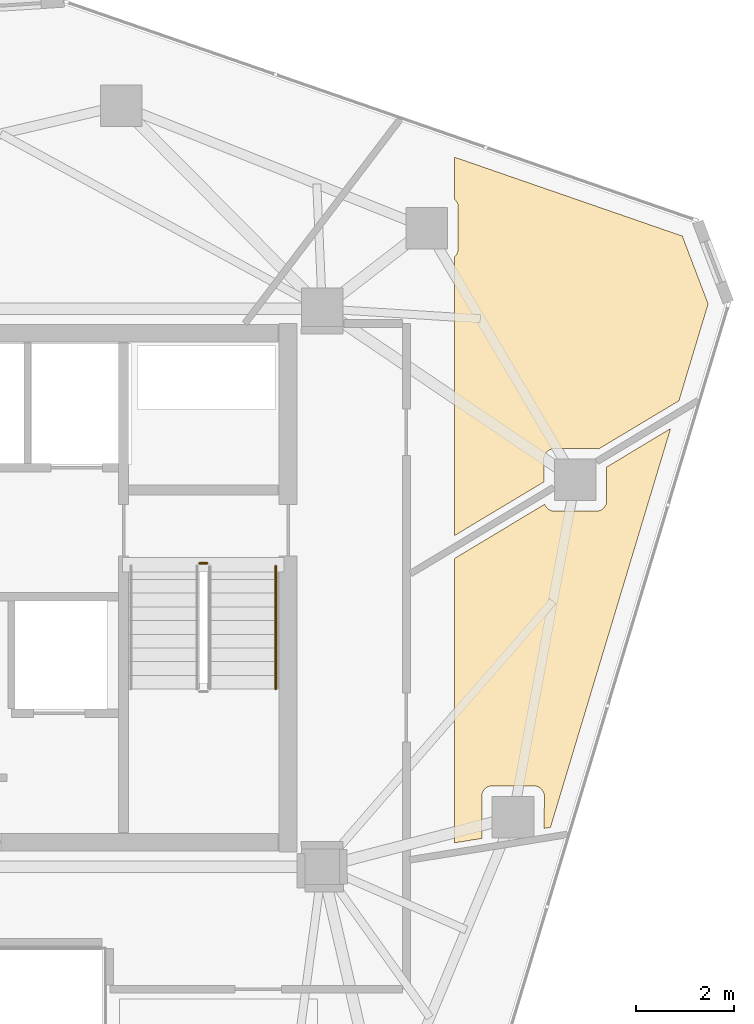
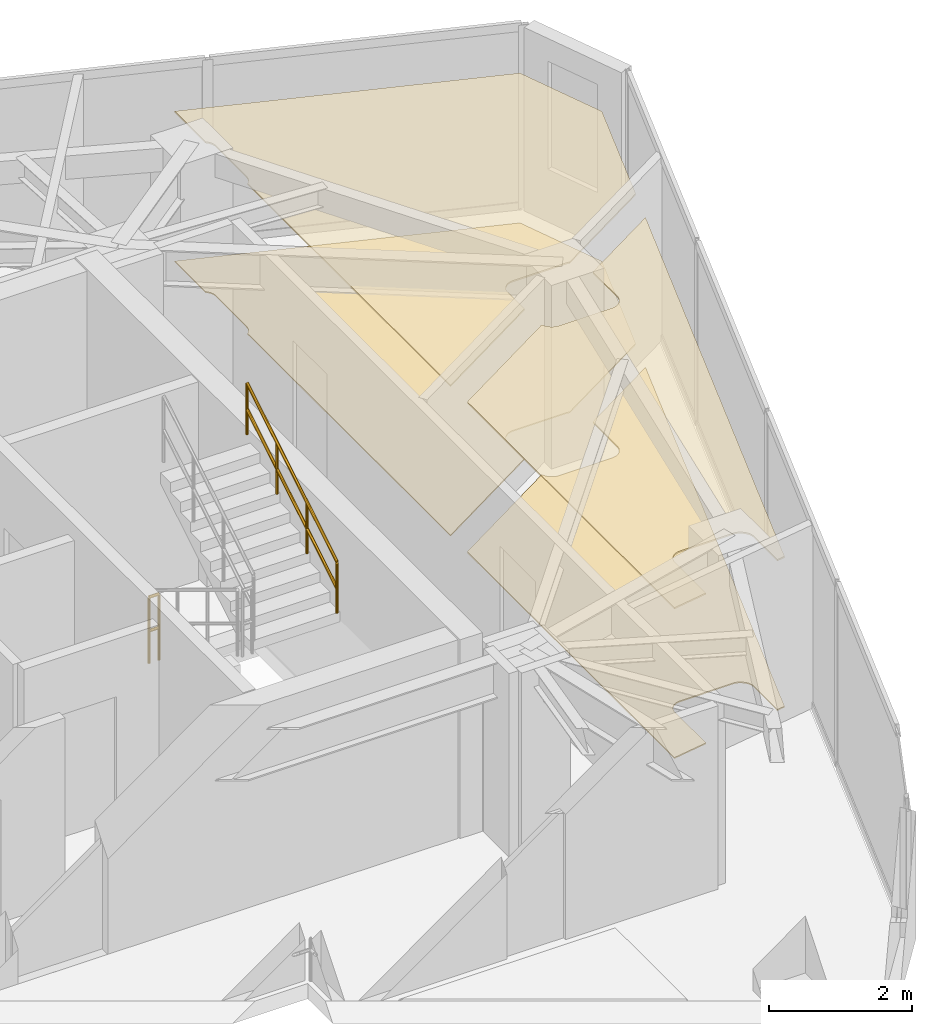
# One storey, part 20 of 20: 4 coverings, 2 railings.
"""IFC4 building model written with IfcOpenShell, lengths in metres."""

from ifc_helpers import new_model, si_unit, direction, frame, origin, origin_2d, place, context, subcontext, project, spatial, polyline, circle, outline, extrude, material, layer, layer_set, type_object, element, save


model = new_model("IFC4")

# Units and contexts
model_context = context("Model", 3, precision=1e-05, world=origin(), true_north=direction((0.0, 1.0)))
body_context = subcontext(model_context, "Body", "Model", "MODEL_VIEW")
ifc_project = project(units=[si_unit("LENGTHUNIT", "METRE"), si_unit("AREAUNIT", "SQUARE_METRE"), si_unit("VOLUMEUNIT", "CUBIC_METRE"), si_unit("PLANEANGLEUNIT", "RADIAN"), si_unit("MASSUNIT", "GRAM", prefix="KILO")], contexts=[model_context])

# Site, building, storey
site_placement = place(None, origin())
site = spatial("IfcSite", under=ifc_project, at=site_placement, CompositionType="ELEMENT")
building_placement = place(site_placement, origin())
building = spatial("IfcBuilding", under=site, at=building_placement, Name="Talar Marvaseh", CompositionType="ELEMENT")
storey_placement = place(building_placement, frame((0.0, 0.0, 257.800048828125)))
storey = spatial("IfcBuildingStorey", under=building, at=storey_placement, Name="L68", CompositionType="ELEMENT", Elevation=257.800048828125)

# Railings
ifc_material_1 = material(Name="Stainless Steel Grade 316", Category="steel")
railing_type_1 = type_object("IfcRailingType", Name="Brushed Stainless Wall Pitch Handrail 900", PredefinedType="HANDRAIL", material=ifc_material_1)
railing_1_placement = place(storey_placement, frame((32.35009765625, 29.1298828125, 1.869873046875)))
element("IfcRailing", 1, at=railing_1_placement, inside=storey, type_object=railing_type_1, Name="L68 ST-2 stair handrail 2", PredefinedType="HANDRAIL", context=body_context, shape_type="SweptSolid", body=[
    extrude(circle(Radius=0.02392578125, at=origin_2d()), frame((0.0, 0.0, 0.8759765625), z_axis=(0.0, 0.85478489116, 0.518982456201), x_axis=(-1.0, 0.0, 0.0)), (0.0, 0.0, 1.0), 2.9482421875),
    extrude(circle(Radius=0.02392578125, at=origin_2d()), frame((0.0, 0.0, 0.42578125), z_axis=(0.0, 0.85478489116, 0.518982456201), x_axis=(-1.0, 0.0, 0.0)), (0.0, 0.0, 1.0), 2.9482421875),
    extrude(circle(Radius=0.02099609375, at=origin_2d()), origin(), (0.0, 0.0, 1.0), 0.851806640625),
    extrude(circle(Radius=0.02099609375, at=origin_2d()), frame((0.0, 0.840087890625, 0.510009765625)), (0.0, 0.0, 1.0), 0.851806640625),
    extrude(circle(Radius=0.02099609375, at=origin_2d()), frame((0.0, 1.679931640625, 1.02001953125)), (0.0, 0.0, 1.0), 0.851806640625),
    extrude(circle(Radius=0.02099609375, at=origin_2d()), frame((0.0, 2.52001953125, 1.530029296875)), (0.0, 0.0, 1.0), 0.851806640625),
])
railing_type_2 = type_object("IfcRailingType", Name="Painted Steel Core Stair Well Guardrail 1150", PredefinedType="GUARDRAIL", material=ifc_material_1)
railing_2_placement = place(storey_placement, frame((30.7900390625, 31.699951171875, 0.0)))
element("IfcRailing", 2, at=railing_2_placement, inside=storey, type_object=railing_type_2, Name="L68 ST-2 stair guard 4", PredefinedType="GUARDRAIL", context=body_context, shape_type="SweptSolid", body=[
    extrude(circle(Radius=0.02392578125, at=origin_2d()), frame((0.0, 0.0, 1.1259765625), z_axis=(1.0, 0.0, 0.0), x_axis=(0.0, 1.0, 0.0)), (0.0, 0.0, 1.0), 0.159912109375),
    extrude(circle(Radius=0.02392578125, at=origin_2d()), frame((0.0, 0.0, 0.55078125), z_axis=(1.0, 0.0, 0.0), x_axis=(0.0, 1.0, 0.0)), (0.0, 0.0, 1.0), 0.159912109375),
    extrude(circle(Radius=0.02099609375, at=origin_2d()), origin(), (0.0, 0.0, 1.0), 1.101806640625),
    extrude(circle(Radius=0.02099609375, at=origin_2d()), frame((0.159912109375, 0.0, 0.0)), (0.0, 0.0, 1.0), 1.101806640625),
])

# Coverings
ifc_material_2 = material(Name="Mineral Fibre Acoustic Ceiling")
ifc_layer_1 = layer(ifc_material_2, 0.02490234375)
ifc_layer_set_1 = layer_set([ifc_layer_1], Name="Mineral Fibre Acoustic Ceiling")
covering_type_1 = type_object("IfcCoveringType", Name="Perforated Mineral Fibre Acoustic Suspended Ceiling", PredefinedType="CEILING", material=ifc_layer_set_1)
covering_1_placement = place(storey_placement, frame((0.0, 0.0, 2.56005859375)))
element("IfcCovering", 3, at=covering_1_placement, inside=storey, type_object=covering_type_1, Name="L68 Artisan Craft Showroom Acoustic Ceiling", PredefinedType="CEILING", context=body_context, shape_type="SweptSolid", body=[
    extrude(outline(polyline([(37.8486328125, 32.89892578125), (37.8583984375, 32.880126953125), (37.869873046875, 32.8623046875), (37.880615234375, 32.847900390625), (37.892333984375, 32.83349609375), (37.905517578125, 32.820068359375), (37.919921875, 32.80810546875), (37.935302734375, 32.797119140625), (37.95166015625, 32.7880859375), (37.96875, 32.780517578125), (37.986572265625, 32.7744140625), (38.004638671875, 32.77001953125), (38.023193359375, 32.767333984375), (38.0419921875, 32.7666015625), (38.90478515625, 32.7685546875), (38.92431640625, 32.76953125), (38.943603515625, 32.7724609375), (38.962646484375, 32.777099609375), (38.98095703125, 32.78369140625), (38.998779296875, 32.792236328125), (39.015380859375, 32.80224609375), (39.03125, 32.81396484375), (39.045654296875, 32.826904296875), (39.058837890625, 32.841552734375), (39.070556640625, 32.857177734375), (39.08056640625, 32.8740234375), (39.08740234375, 32.886474609375), (39.095703125, 32.904296875), (39.102294921875, 32.9228515625), (39.107177734375, 32.94189453125), (39.110107421875, 32.96142578125), (39.111083984375, 32.98095703125), (39.111083984375, 33.668212890625), (40.4169921875, 34.452880859375), (37.963134765625, 26.304443359375), (37.83349609375, 26.283447265625), (37.8369140625, 26.939453125), (37.836181640625, 26.9580078125), (37.83349609375, 26.9765625), (37.829345703125, 26.994873046875), (37.823486328125, 27.012451171875), (37.81591796875, 27.029541015625), (37.806884765625, 27.0458984375), (37.79638671875, 27.061279296875), (37.784423828125, 27.07568359375), (37.771240234375, 27.088623046875), (37.75634765625, 27.102294921875), (37.741943359375, 27.114013671875), (37.726806640625, 27.12451171875), (37.71044921875, 27.13330078125), (37.693603515625, 27.140869140625), (37.67578125, 27.146484375), (37.65771484375, 27.15087890625), (37.639404296875, 27.1533203125), (37.62109375, 27.154052734375), (36.760498046875, 27.149658203125), (36.74072265625, 27.1484375), (36.721435546875, 27.1455078125), (36.702392578125, 27.140625), (36.68408203125, 27.134033203125), (36.66650390625, 27.125732421875), (36.64990234375, 27.115478515625), (36.634033203125, 27.103759765625), (36.61962890625, 27.0908203125), (36.6064453125, 27.076171875), (36.594970703125, 27.060302734375), (36.5849609375, 27.043701171875), (36.576416015625, 27.02587890625), (36.570068359375, 27.007568359375), (36.565185546875, 26.988525390625), (36.5625, 26.968994140625), (36.561279296875, 26.94970703125), (36.561279296875, 26.078857421875), (36.0, 25.98828125), (36.0, 31.798828125), (37.84521484375, 32.90771484375), (37.8486328125, 32.89892578125)])), origin(), (0.0, 0.0, 1.0), 0.02490234375),
])
covering_2_placement = place(storey_placement, frame((0.0, 0.0, 2.56005859375)))
element("IfcCovering", 4, at=covering_2_placement, inside=storey, type_object=covering_type_1, Name="L68 Collection Conservation Store Acoustic Ceiling", PredefinedType="CEILING", context=body_context, shape_type="SweptSolid", body=[
    extrude(outline(polyline([(38.915283203125, 34.045166015625), (38.89697265625, 34.0458984375), (38.037109375, 34.04345703125), (38.017578125, 34.04248046875), (37.998291015625, 34.03955078125), (37.979248046875, 34.034912109375), (37.9609375, 34.0283203125), (37.943115234375, 34.019775390625), (37.926513671875, 34.009765625), (37.910888671875, 33.998046875), (37.896240234375, 33.98486328125), (37.88330078125, 33.970458984375), (37.87158203125, 33.95458984375), (37.861328125, 33.93798828125), (37.854736328125, 33.925537109375), (37.84619140625, 33.90771484375), (37.839599609375, 33.88916015625), (37.8349609375, 33.8701171875), (37.83203125, 33.8505859375), (37.8310546875, 33.8310546875), (37.8310546875, 33.36572265625), (36.0, 32.265625), (36.0, 37.96044921875), (36.0, 37.96044921875), (36.0146484375, 37.9736328125), (36.02783203125, 37.988037109375), (36.03955078125, 38.00390625), (36.0498046875, 38.0205078125), (36.05810546875, 38.0380859375), (36.064697265625, 38.056640625), (36.069580078125, 38.075439453125), (36.072509765625, 38.094970703125), (36.073486328125, 38.114501953125), (36.077880859375, 38.9765625), (36.0771484375, 38.9951171875), (36.07470703125, 39.013671875), (36.0703125, 39.03173828125), (36.064453125, 39.049560546875), (36.056884765625, 39.066650390625), (36.0478515625, 39.0830078125), (36.037353515625, 39.09814453125), (36.025390625, 39.112548828125), (36.01220703125, 39.125732421875), (36.0, 39.13671875), (36.0, 40.000244140625), (40.656982421875, 38.387939453125), (41.184326171875, 37.00146484375), (40.58837890625, 35.022705078125), (38.950927734375, 34.03857421875), (38.933837890625, 34.04248046875), (38.915283203125, 34.045166015625)])), origin(), (0.0, 0.0, 1.0), 0.02490234375),
])
ifc_material_3 = material(Name="Porcelain Stoneware Tile", Category="masonry")
ifc_layer_2 = layer(ifc_material_3, 0.02001953125)
ifc_layer_set_2 = layer_set([ifc_layer_2], Name="Porcelain Stoneware Tile")
covering_type_2 = type_object("IfcCoveringType", Name="Polished Porcelain Stoneware Gallery Flooring", PredefinedType="FLOORING", material=ifc_layer_set_2)
covering_3_placement = place(storey_placement, origin())
element("IfcCovering", 5, at=covering_3_placement, inside=storey, type_object=covering_type_2, Name="L68 Artisan Craft Showroom Flooring", PredefinedType="FLOORING", context=body_context, shape_type="SweptSolid", body=[
    extrude(outline(polyline([(37.8486328125, 32.89892578125), (37.8583984375, 32.880126953125), (37.869873046875, 32.8623046875), (37.880615234375, 32.847900390625), (37.892333984375, 32.83349609375), (37.905517578125, 32.820068359375), (37.919921875, 32.80810546875), (37.935302734375, 32.797119140625), (37.95166015625, 32.7880859375), (37.96875, 32.780517578125), (37.986572265625, 32.7744140625), (38.004638671875, 32.77001953125), (38.023193359375, 32.767333984375), (38.0419921875, 32.7666015625), (38.90478515625, 32.7685546875), (38.92431640625, 32.76953125), (38.943603515625, 32.7724609375), (38.962646484375, 32.777099609375), (38.98095703125, 32.78369140625), (38.998779296875, 32.792236328125), (39.015380859375, 32.80224609375), (39.03125, 32.81396484375), (39.045654296875, 32.826904296875), (39.058837890625, 32.841552734375), (39.070556640625, 32.857177734375), (39.08056640625, 32.8740234375), (39.08740234375, 32.886474609375), (39.095703125, 32.904296875), (39.102294921875, 32.9228515625), (39.107177734375, 32.94189453125), (39.110107421875, 32.96142578125), (39.111083984375, 32.98095703125), (39.111083984375, 33.668212890625), (40.4169921875, 34.452880859375), (37.963134765625, 26.304443359375), (37.83349609375, 26.283447265625), (37.8369140625, 26.939453125), (37.836181640625, 26.9580078125), (37.83349609375, 26.9765625), (37.829345703125, 26.994873046875), (37.823486328125, 27.012451171875), (37.81591796875, 27.029541015625), (37.806884765625, 27.0458984375), (37.79638671875, 27.061279296875), (37.784423828125, 27.07568359375), (37.771240234375, 27.088623046875), (37.75634765625, 27.102294921875), (37.741943359375, 27.114013671875), (37.726806640625, 27.12451171875), (37.71044921875, 27.13330078125), (37.693603515625, 27.140869140625), (37.67578125, 27.146484375), (37.65771484375, 27.15087890625), (37.639404296875, 27.1533203125), (37.62109375, 27.154052734375), (36.760498046875, 27.149658203125), (36.74072265625, 27.1484375), (36.721435546875, 27.1455078125), (36.702392578125, 27.140625), (36.68408203125, 27.134033203125), (36.66650390625, 27.125732421875), (36.64990234375, 27.115478515625), (36.634033203125, 27.103759765625), (36.61962890625, 27.0908203125), (36.6064453125, 27.076171875), (36.594970703125, 27.060302734375), (36.5849609375, 27.043701171875), (36.576416015625, 27.02587890625), (36.570068359375, 27.007568359375), (36.565185546875, 26.988525390625), (36.5625, 26.968994140625), (36.561279296875, 26.94970703125), (36.561279296875, 26.078857421875), (36.0, 25.98828125), (36.0, 31.798828125), (37.84521484375, 32.90771484375), (37.8486328125, 32.89892578125)])), origin(), (0.0, 0.0, 1.0), 0.02001953125),
])
covering_4_placement = place(storey_placement, origin())
element("IfcCovering", 6, at=covering_4_placement, inside=storey, type_object=covering_type_2, Name="L68 Collection Conservation Store Flooring", PredefinedType="FLOORING", context=body_context, shape_type="SweptSolid", body=[
    extrude(outline(polyline([(38.915283203125, 34.045166015625), (38.89697265625, 34.0458984375), (38.037109375, 34.04345703125), (38.017578125, 34.04248046875), (37.998291015625, 34.03955078125), (37.979248046875, 34.034912109375), (37.9609375, 34.0283203125), (37.943115234375, 34.019775390625), (37.926513671875, 34.009765625), (37.910888671875, 33.998046875), (37.896240234375, 33.98486328125), (37.88330078125, 33.970458984375), (37.87158203125, 33.95458984375), (37.861328125, 33.93798828125), (37.854736328125, 33.925537109375), (37.84619140625, 33.90771484375), (37.839599609375, 33.88916015625), (37.8349609375, 33.8701171875), (37.83203125, 33.8505859375), (37.8310546875, 33.8310546875), (37.8310546875, 33.36572265625), (36.0, 32.265625), (36.0, 37.96044921875), (36.0, 37.96044921875), (36.0146484375, 37.9736328125), (36.02783203125, 37.988037109375), (36.03955078125, 38.00390625), (36.0498046875, 38.0205078125), (36.05810546875, 38.0380859375), (36.064697265625, 38.056640625), (36.069580078125, 38.075439453125), (36.072509765625, 38.094970703125), (36.073486328125, 38.114501953125), (36.077880859375, 38.9765625), (36.0771484375, 38.9951171875), (36.07470703125, 39.013671875), (36.0703125, 39.03173828125), (36.064453125, 39.049560546875), (36.056884765625, 39.066650390625), (36.0478515625, 39.0830078125), (36.037353515625, 39.09814453125), (36.025390625, 39.112548828125), (36.01220703125, 39.125732421875), (36.0, 39.13671875), (36.0, 40.000244140625), (40.656982421875, 38.387939453125), (41.184326171875, 37.00146484375), (40.58837890625, 35.022705078125), (38.950927734375, 34.03857421875), (38.933837890625, 34.04248046875), (38.915283203125, 34.045166015625)])), origin(), (0.0, 0.0, 1.0), 0.02001953125),
])

save(model, "model.ifc")
